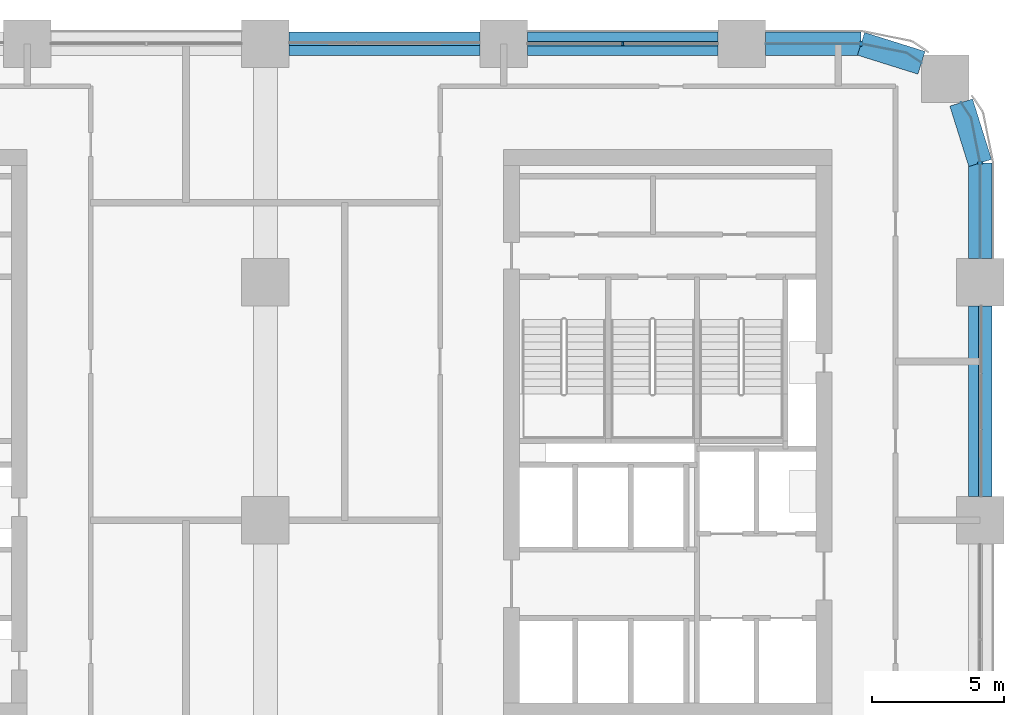
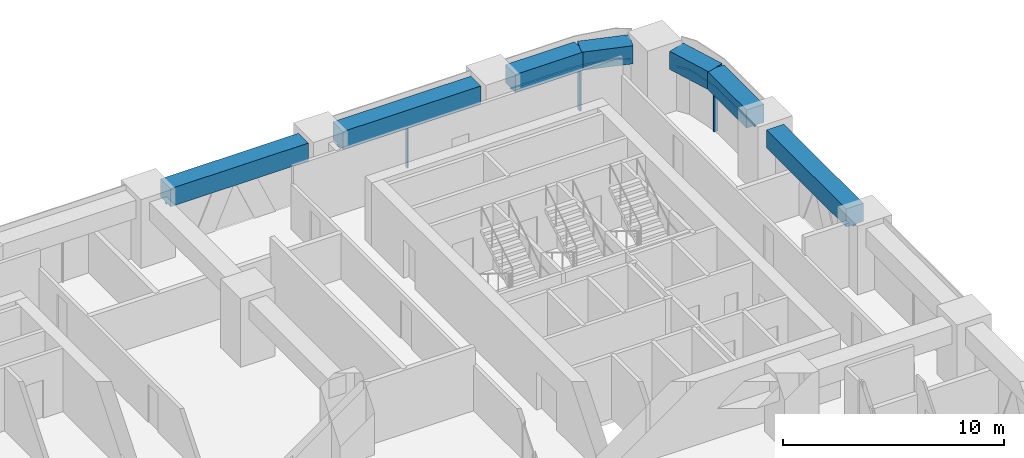
# One storey, part 9 of 21: 8 members, 7 beams, 5 elements without a shape of their own.
"""IFC4 building model written with IfcOpenShell, lengths in metres."""

from ifc_helpers import new_model, si_unit, direction, frame, origin, origin_2d, place, context, subcontext, project, spatial, polyline, rectangle, outline, extrude, material, material_profile, profile_set, type_object, element, aggregate, save


model = new_model("IFC4")

# Units and contexts
model_context = context("Model", 3, precision=1e-05, world=origin(), true_north=direction((0.0, 1.0)))
body_context = subcontext(model_context, "Body", "Model", "MODEL_VIEW")
ifc_project = project(units=[si_unit("LENGTHUNIT", "METRE"), si_unit("AREAUNIT", "SQUARE_METRE"), si_unit("VOLUMEUNIT", "CUBIC_METRE"), si_unit("PLANEANGLEUNIT", "RADIAN"), si_unit("MASSUNIT", "GRAM", prefix="KILO")], contexts=[model_context])

# Site, building, storey
site_placement = place(None, origin())
site = spatial("IfcSite", under=ifc_project, at=site_placement, CompositionType="ELEMENT")
building_placement = place(site_placement, origin())
building = spatial("IfcBuilding", under=site, at=building_placement, Name="Tessera Arch", CompositionType="ELEMENT")
storey_placement = place(building_placement, frame((0.0, 0.0, 65.199951171875)))
storey = spatial("IfcBuildingStorey", under=building, at=storey_placement, Name="L14", CompositionType="ELEMENT", Elevation=65.199951171875)

# Curtain wall, members
ifc_material_1 = material(Name="CW1 curtain wall")
curtain_wall_type_1 = type_object("IfcCurtainWallType", Name="CW1 curtain wall", PredefinedType="NOTDEFINED", material=ifc_material_1)
curtain_wall_1_placement = place(storey_placement, origin())
curtain_wall_1 = element("IfcCurtainWall", 1, at=curtain_wall_1_placement, inside=storey, type_object=curtain_wall_type_1, Name="CW1 curtain wall N54.0/1 L14", PredefinedType="NOTDEFINED")
ifc_material_2 = material(Name="Anodised aluminium pale metal", Category="aluminium")
ifc_material_profile_1 = material_profile(ifc_material_2, rectangle(XDim=0.159912109375, YDim=0.06005859375, at=origin_2d()), Name="AL 60x160")
ifc_profile_set_1 = profile_set([ifc_material_profile_1], Name="Anodised aluminium pale metal")
member_type_1 = type_object("IfcMemberType", Name="CW1 mullion", PredefinedType="MULLION", material=ifc_profile_set_1)
member_1_placement = place(storey_placement, frame((40.5, 54.0, 0.0), z_axis=(0.0, 0.0, 1.0), x_axis=(0.0, -1.0, 0.0)))
member_1 = element("IfcMember", 2, at=member_1_placement, type_object=member_type_1, Name="CW1 mullion N54.0/1 1", PredefinedType="MULLION", context=body_context, shape_type="SweptSolid", body=[
    extrude(rectangle(XDim=0.159912109375, YDim=0.06005859375, at=origin_2d()), origin(), (0.0, 0.0, 1.0), 2.400146484375),
])
ifc_material_3 = material(Name="Anodised aluminium pale metal", Category="aluminium")
ifc_material_profile_2 = material_profile(ifc_material_3, rectangle(XDim=0.159912109375, YDim=0.10009765625, at=origin_2d()), Name="AL 160x100")
ifc_profile_set_2 = profile_set([ifc_material_profile_2], Name="Anodised aluminium pale metal")
member_type_2 = type_object("IfcMemberType", Name="CW1 transom", PredefinedType="USERDEFINED", material=ifc_profile_set_2)
member_2_placement = place(storey_placement, frame((44.10009765625, 54.0, 2.449951171875), z_axis=(-1.0, 0.0, 0.0), x_axis=(0.0, -1.0, 0.0)))
member_2 = element("IfcMember", 3, at=member_2_placement, type_object=member_type_2, Name="CW1 transom N54.0/1 1.1", ObjectType="TRANSOM", PredefinedType="USERDEFINED", context=body_context, shape_type="SweptSolid", body=[
    extrude(rectangle(XDim=0.159912109375, YDim=0.10009765625, at=origin_2d()), origin(), (0.0, 0.0, 1.0), 7.2001953125),
])
aggregate(curtain_wall_1, [member_1, member_2])

# Curtain wall, member
ifc_material_4 = material(Name="CW2 curtain wall")
curtain_wall_type_2 = type_object("IfcCurtainWallType", Name="CW2 curtain wall", PredefinedType="NOTDEFINED", material=ifc_material_4)
curtain_wall_2_placement = place(storey_placement, origin())
curtain_wall_2 = element("IfcCurtainWall", 4, at=curtain_wall_2_placement, inside=storey, type_object=curtain_wall_type_2, Name="CW2 curtain wall E54.0/5 L14", PredefinedType="NOTDEFINED")
ifc_material_5 = material(Name="Anodised aluminium pale metal", Category="aluminium")
ifc_material_profile_3 = material_profile(ifc_material_5, rectangle(XDim=0.199951171875, YDim=0.080078125, at=origin_2d()), Name="AL 80x200")
ifc_profile_set_3 = profile_set([ifc_material_profile_3], Name="Anodised aluminium pale metal")
member_type_3 = type_object("IfcMemberType", Name="CW2 mullion", PredefinedType="MULLION", material=ifc_profile_set_3)
member_3_placement = place(storey_placement, frame((54.0, 49.5, 0.0), z_axis=(0.0, 0.0, 1.0), x_axis=(-1.0, 0.0, 0.0)))
member_3 = element("IfcMember", 5, at=member_3_placement, type_object=member_type_3, Name="CW2 mullion E54.0/5 1", PredefinedType="MULLION", context=body_context, shape_type="SweptSolid", body=[
    extrude(rectangle(XDim=0.199951171875, YDim=0.080078125, at=origin_2d()), origin(), (0.0, 0.0, 1.0), 2.400146484375),
])

curtain_wall_3_placement = place(storey_placement, origin())
curtain_wall_3 = element("IfcCurtainWall", 6, at=curtain_wall_3_placement, inside=storey, type_object=curtain_wall_type_2, Name="CW2 curtain wall N54.0/0 L14", PredefinedType="NOTDEFINED")
member_4_placement = place(storey_placement, frame((49.5, 54.0, 0.0), z_axis=(0.0, 0.0, 1.0), x_axis=(0.0, -1.0, 0.0)))
member_4 = element("IfcMember", 7, at=member_4_placement, type_object=member_type_3, Name="CW2 mullion N54.0/0 1", PredefinedType="MULLION", context=body_context, shape_type="SweptSolid", body=[
    extrude(rectangle(XDim=0.199951171875, YDim=0.080078125, at=origin_2d()), origin(), (0.0, 0.0, 1.0), 2.400146484375),
])

# Member
ifc_material_6 = material(Name="Anodised aluminium pale metal", Category="aluminium")
ifc_material_profile_4 = material_profile(ifc_material_6, rectangle(XDim=0.199951171875, YDim=0.10009765625, at=origin_2d()), Name="AL 200x100")
ifc_profile_set_4 = profile_set([ifc_material_profile_4], Name="Anodised aluminium pale metal")
member_type_4 = type_object("IfcMemberType", Name="CW2 transom", PredefinedType="USERDEFINED", material=ifc_profile_set_4)
member_5_placement = place(storey_placement, frame((0.0, 0.0, 2.400146484375)))
member_5 = element("IfcMember", 8, at=member_5_placement, type_object=member_type_4, Name="CW2 transom E54.0/5 1", ObjectType="TRANSOM", PredefinedType="USERDEFINED", context=body_context, shape_type="SweptSolid", body=[
    extrude(outline(polyline([(53.989990234375, 49.4990234375), (53.989990234375, 45.89990234375), (54.010009765625, 45.89990234375), (54.010009765625, 49.5009765625), (53.6669921875, 51.22607421875), (53.29150390625, 51.78759765625), (53.27490234375, 51.7763671875), (53.648193359375, 51.21826171875), (53.989990234375, 49.4990234375)])), origin(), (0.0, 0.0, 1.0), 0.099853515625),
])

aggregate(curtain_wall_2, [member_3, member_5])

member_6_placement = place(storey_placement, frame((0.0, 0.0, 2.400146484375)))
member_6 = element("IfcMember", 9, at=member_6_placement, type_object=member_type_4, Name="CW2 transom N54.0/0 1", ObjectType="TRANSOM", PredefinedType="USERDEFINED", context=body_context, shape_type="SweptSolid", body=[
    extrude(outline(polyline([(51.21826171875, 53.648193359375), (51.7763671875, 53.27490234375), (51.78759765625, 53.29150390625), (51.22607421875, 53.6669921875), (49.5009765625, 54.010009765625), (45.89990234375, 54.010009765625), (45.89990234375, 53.989990234375), (49.4990234375, 53.989990234375), (51.21826171875, 53.648193359375)])), origin(), (0.0, 0.0, 1.0), 0.099853515625),
])

aggregate(curtain_wall_3, [member_4, member_6])

# Curtain wall, member
ifc_material_7 = material(Name="CW3 curtain wall")
curtain_wall_type_3 = type_object("IfcCurtainWallType", Name="CW3 curtain wall", PredefinedType="NOTDEFINED", material=ifc_material_7)
curtain_wall_4_placement = place(storey_placement, origin())
curtain_wall_4 = element("IfcCurtainWall", 10, at=curtain_wall_4_placement, inside=storey, type_object=curtain_wall_type_3, Name="CW3 curtain wall E54.0/4 L14", PredefinedType="NOTDEFINED")
ifc_material_8 = material(Name="Anodised aluminium pale metal", Category="aluminium")
ifc_material_profile_5 = material_profile(ifc_material_8, rectangle(XDim=0.139892578125, YDim=0.10009765625, at=origin_2d()), Name="AL 140x100")
ifc_profile_set_5 = profile_set([ifc_material_profile_5], Name="Anodised aluminium pale metal")
member_type_5 = type_object("IfcMemberType", Name="CW3 transom", PredefinedType="USERDEFINED", material=ifc_profile_set_5)
member_7_placement = place(storey_placement, frame((54.0, 36.89990234375, 2.449951171875), z_axis=(0.0, 1.0, 0.0), x_axis=(-1.0, 0.0, 0.0)))
member_7 = element("IfcMember", 11, at=member_7_placement, type_object=member_type_5, Name="CW3 transom E54.0/4 1.1", ObjectType="TRANSOM", PredefinedType="USERDEFINED", context=body_context, shape_type="SweptSolid", body=[
    extrude(rectangle(XDim=0.139892578125, YDim=0.10009765625, at=origin_2d()), origin(), (0.0, 0.0, 1.0), 7.2001953125),
])
aggregate(curtain_wall_4, [member_7])

curtain_wall_5_placement = place(storey_placement, origin())
curtain_wall_5 = element("IfcCurtainWall", 12, at=curtain_wall_5_placement, inside=storey, type_object=curtain_wall_type_3, Name="CW3 curtain wall N54.0/2 L14", PredefinedType="NOTDEFINED")
member_8_placement = place(storey_placement, frame((35.10009765625, 54.0, 2.449951171875), z_axis=(-1.0, 0.0, 0.0), x_axis=(0.0, -1.0, 0.0)))
member_8 = element("IfcMember", 13, at=member_8_placement, type_object=member_type_5, Name="CW3 transom N54.0/2 1.1", ObjectType="TRANSOM", PredefinedType="USERDEFINED", context=body_context, shape_type="SweptSolid", body=[
    extrude(rectangle(XDim=0.139892578125, YDim=0.10009765625, at=origin_2d()), origin(), (0.0, 0.0, 1.0), 7.2001953125),
])
aggregate(curtain_wall_5, [member_8])

# Beams
ifc_material_9 = material(Name="Concrete C80/95", Category="concrete")
ifc_material_profile_6 = material_profile(ifc_material_9, rectangle(XDim=0.89990234375, YDim=1.0, at=origin_2d()), Name="RC spandrel beam 900 x 1000 Concrete C80/95")
ifc_profile_set_6 = profile_set([ifc_material_profile_6], Name="Concrete C80/95")
beam_type = type_object("IfcBeamType", Name="RC spandrel beam 900 x 1000 Concrete C80/95", PredefinedType="BEAM", material=ifc_profile_set_6)
beam_1_placement = place(storey_placement, frame((54.0, 36.89990234375, 3.0), z_axis=(0.0, 1.0, 0.0), x_axis=(-1.0, 0.0, 0.0)))
element("IfcBeam", 14, at=beam_1_placement, inside=storey, type_object=beam_type, Name="Spandrel beam L14 E54.0/4", PredefinedType="BEAM", context=body_context, shape_type="SweptSolid", body=[
    extrude(rectangle(XDim=0.89990234375, YDim=1.0, at=origin_2d()), origin(), (0.0, 0.0, 1.0), 7.2001953125),
])
beam_2_placement = place(storey_placement, frame((54.0, 45.89990234375, 3.0), z_axis=(0.0, 1.0, 0.0), x_axis=(-1.0, 0.0, 0.0)))
element("IfcBeam", 15, at=beam_2_placement, inside=storey, type_object=beam_type, Name="Spandrel beam L14 E54.0/5.1", PredefinedType="BEAM", context=body_context, shape_type="SweptSolid", body=[
    extrude(rectangle(XDim=0.89990234375, YDim=1.0, at=origin_2d()), origin(), (0.0, 0.0, 1.0), 3.60009765625),
])
for number, where, z_axis, x_axis, name in (
    (16, (54.0, 49.5, 3.0), (-0.299675309057, 0.954041251279, 0.0), (-0.954041251279, -0.299675309057, 0.0), "Spandrel beam L14 E54.0/5.2"),
    (17, (51.781982421875, 53.283203125, 3.0), (-0.954041251279, 0.299675309057, 0.0), (-0.299675309057, -0.954041251279, 0.0), "Spandrel beam L14 N54.0/0.1"),
):
    element("IfcBeam", number, at=place(storey_placement, frame(where, z_axis=z_axis, x_axis=x_axis)), inside=storey, type_object=beam_type, Name=name, PredefinedType="BEAM", context=body_context, shape_type="SweptSolid", body=[
        extrude(rectangle(XDim=0.89990234375, YDim=1.0, at=origin_2d()), origin(), (0.0, 0.0, 1.0), 2.391845703125),
    ])
beam_3_placement = place(storey_placement, frame((49.5, 54.0, 3.0), z_axis=(-1.0, 0.0, 0.0), x_axis=(0.0, -1.0, 0.0)))
element("IfcBeam", 18, at=beam_3_placement, inside=storey, type_object=beam_type, Name="Spandrel beam L14 N54.0/0.2", PredefinedType="BEAM", context=body_context, shape_type="SweptSolid", body=[
    extrude(rectangle(XDim=0.89990234375, YDim=1.0, at=origin_2d()), origin(), (0.0, 0.0, 1.0), 3.60009765625),
])
for number, where, z_axis, x_axis, name in (
    (19, (44.10009765625, 54.0, 3.0), (-1.0, 0.0, 0.0), (0.0, -1.0, 0.0), "Spandrel beam L14 N54.0/1"),
    (20, (35.10009765625, 54.0, 3.0), (-1.0, 0.0, 0.0), (0.0, -1.0, 0.0), "Spandrel beam L14 N54.0/2"),
):
    element("IfcBeam", number, at=place(storey_placement, frame(where, z_axis=z_axis, x_axis=x_axis)), inside=storey, type_object=beam_type, Name=name, PredefinedType="BEAM", context=body_context, shape_type="SweptSolid", body=[
        extrude(rectangle(XDim=0.89990234375, YDim=1.0, at=origin_2d()), origin(), (0.0, 0.0, 1.0), 7.2001953125),
    ])

save(model, "model.ifc")
